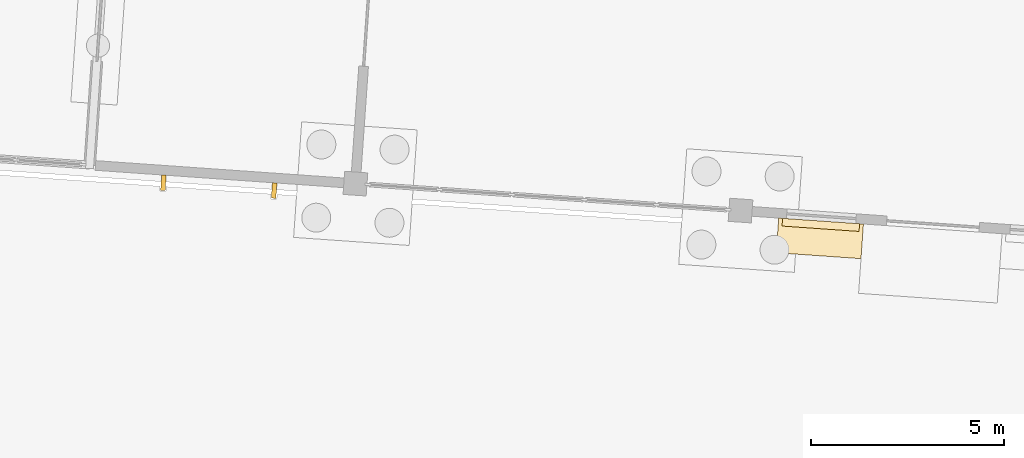
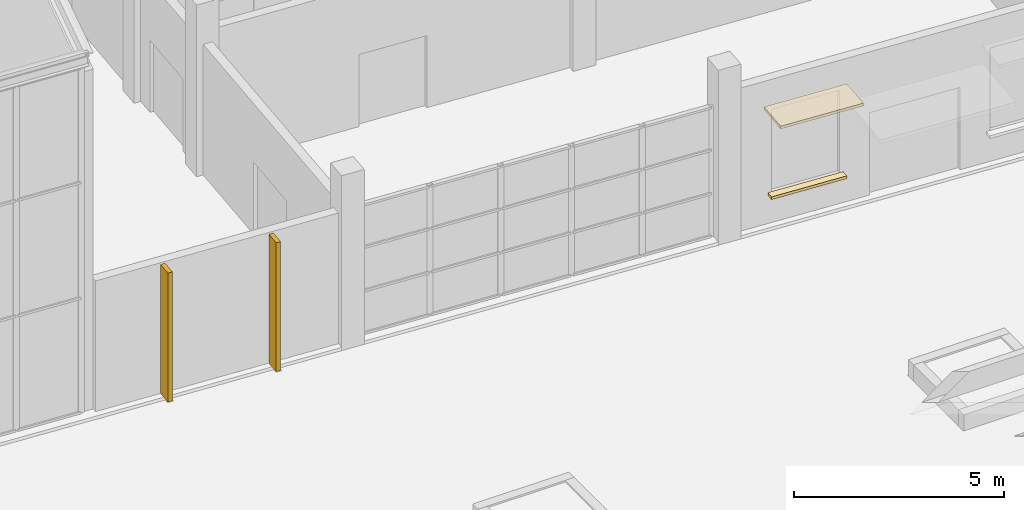
# One storey, part 139 of 157: 2 coverings, 2 shading devices.
"""IFC4 building model written with IfcOpenShell, lengths in metres."""

from ifc_helpers import new_model, si_unit, direction, frame, origin, place, context, subcontext, project, spatial, polyline, outline, extrude, material, layer, layer_set, type_object, element, save


model = new_model("IFC4")

# Units and contexts
model_context = context("Model", 3, precision=1e-05, world=origin(), true_north=direction((0.0, 1.0)))
body_context = subcontext(model_context, "Body", "Model", "MODEL_VIEW")
ifc_project = project(units=[si_unit("LENGTHUNIT", "METRE"), si_unit("AREAUNIT", "SQUARE_METRE"), si_unit("VOLUMEUNIT", "CUBIC_METRE"), si_unit("PLANEANGLEUNIT", "RADIAN"), si_unit("MASSUNIT", "GRAM", prefix="KILO")], contexts=[model_context])

# Site, building, storey
site_placement = place(None, origin())
site = spatial("IfcSite", under=ifc_project, at=site_placement, CompositionType="ELEMENT")
building_placement = place(site_placement, origin())
building = spatial("IfcBuilding", under=site, at=building_placement, Name="Windward Yard Aquatics Centre", CompositionType="ELEMENT")
storey_placement = place(building_placement, origin())
storey = spatial("IfcBuildingStorey", under=building, at=storey_placement, Name="L00", CompositionType="ELEMENT", Elevation=0.0)

# Shading devices
ifc_material_1 = material(Name="Timber-look aluminium batten, powder coated", Category="wood")
shading_device_type = type_object("IfcShadingDeviceType", Name="W vertical fin 120x400", PredefinedType="USERDEFINED", material=ifc_material_1)
shading_device_1_placement = place(storey_placement, origin())
element("IfcShadingDevice", 1, at=shading_device_1_placement, inside=storey, type_object=shading_device_type, Name="Vertical fin W.FW.L00.S.29.8.1.1", ObjectType="FIN", PredefinedType="USERDEFINED", context=body_context, shape_type="SweptSolid", body=[
    extrude(outline(polyline([(102.81640625, 116.69189453125), (102.84423828125, 117.0908203125), (102.964111328125, 117.08251953125), (102.93603515625, 116.683349609375), (102.81640625, 116.69189453125)])), origin(), (0.0, 0.0, 1.0), 3.756103515625),
])
shading_device_2_placement = place(storey_placement, origin())
element("IfcShadingDevice", 2, at=shading_device_2_placement, inside=storey, type_object=shading_device_type, Name="Vertical fin W.FW.L00.S.29.8.1.2", ObjectType="FIN", PredefinedType="USERDEFINED", context=body_context, shape_type="SweptSolid", body=[
    extrude(outline(polyline([(105.684326171875, 116.4912109375), (105.71240234375, 116.89013671875), (105.83203125, 116.8818359375), (105.80419921875, 116.48291015625), (105.684326171875, 116.4912109375)])), origin(), (0.0, 0.0, 1.0), 3.756103515625),
])

# Coverings
ifc_material_2 = material(Name="Aluminium composite hood, powder coated", Category="aluminium")
ifc_layer_1 = layer(ifc_material_2, 0.080078125)
ifc_layer_set_1 = layer_set([ifc_layer_1], Name="W window hood aluminium 2200x900")
covering_type_1 = type_object("IfcCoveringType", Name="W window hood aluminium 2200x900", PredefinedType="CLADDING", material=ifc_layer_set_1)
covering_1_placement = place(storey_placement, frame((0.0, 0.0, 3.35009765625)))
element("IfcCovering", 3, at=covering_1_placement, inside=storey, type_object=covering_type_1, Name="Window hood W0501", PredefinedType="CLADDING", context=body_context, shape_type="SweptSolid", body=[
    extrude(outline(polyline([(118.764892578125, 115.0751953125), (118.82763671875, 115.97314453125), (121.022216796875, 115.819580078125), (120.95947265625, 114.921875), (118.764892578125, 115.0751953125)])), origin(), (0.0, 0.0, 1.0), 0.079833984375),
])
ifc_material_3 = material(Name="Limestone sill", Category="masonry")
ifc_layer_2 = layer(ifc_material_3, 0.080078125)
ifc_layer_set_2 = layer_set([ifc_layer_2], Name="W window sill stone 2000x200")
covering_type_2 = type_object("IfcCoveringType", Name="W window sill stone 2000x200", PredefinedType="CLADDING", material=ifc_layer_set_2)
covering_2_placement = place(storey_placement, frame((0.0, 0.0, 0.820068359375)))
element("IfcCovering", 4, at=covering_2_placement, inside=storey, type_object=covering_type_2, Name="Window sill W0501", PredefinedType="CLADDING", context=body_context, shape_type="SweptSolid", body=[
    extrude(outline(polyline([(118.91357421875, 115.7666015625), (118.927490234375, 115.966064453125), (120.922607421875, 115.82666015625), (120.90869140625, 115.627197265625), (118.91357421875, 115.7666015625)])), origin(), (0.0, 0.0, 1.0), 0.079833984375),
])

save(model, "model.ifc")
